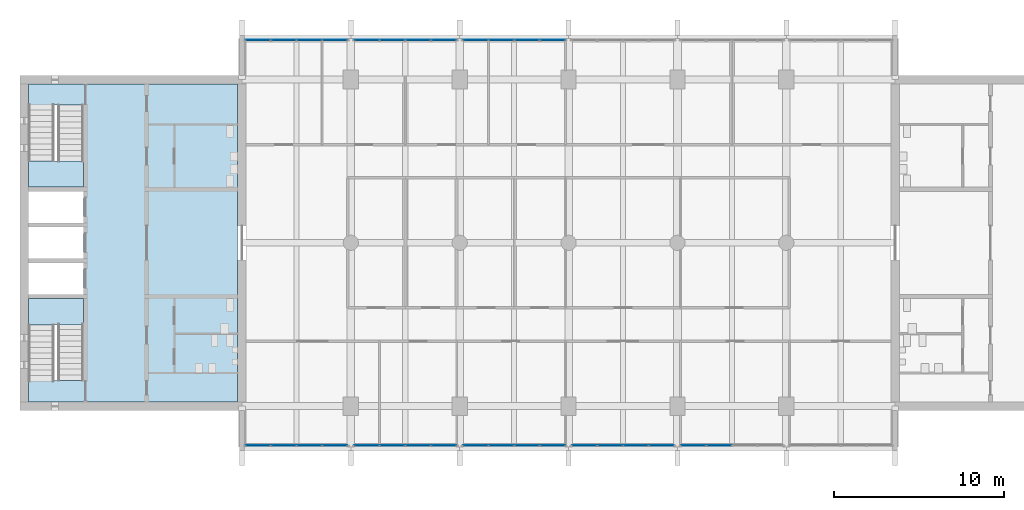
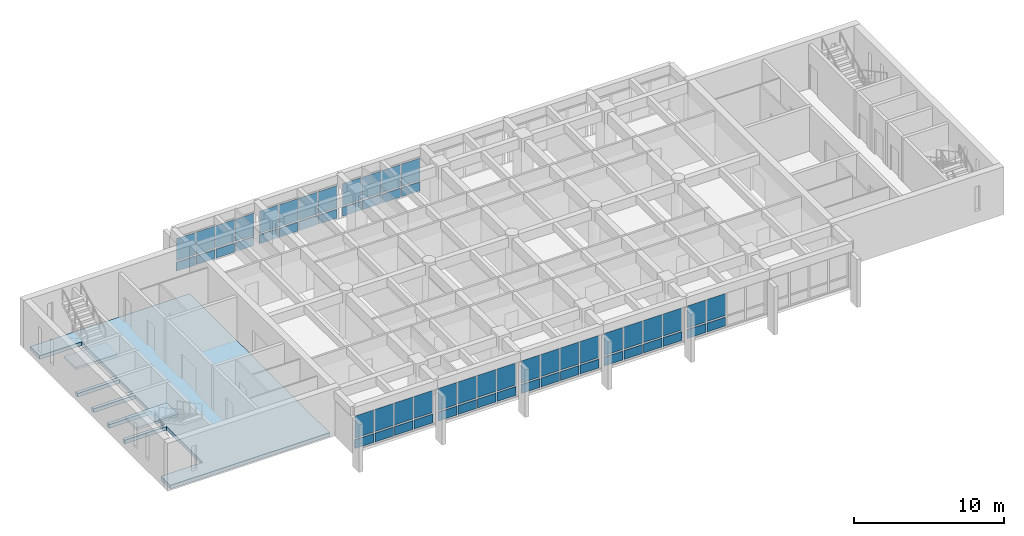
# One storey, part 7 of 15: 60 plates, 3 slabs, 10 elements without a shape of their own.
"""IFC4 building model written with IfcOpenShell, lengths in metres."""

from ifc_helpers import new_model, si_unit, direction, frame, origin, origin_2d, place, context, subcontext, project, spatial, polyline, rectangle, outline, extrude, material, layer, layer_set, type_object, element, aggregate, save


model = new_model("IFC4")

# Units and contexts
model_context = context("Model", 3, precision=1e-05, world=origin(), true_north=direction((0.0, 1.0)))
body_context = subcontext(model_context, "Body", "Model", "MODEL_VIEW")
ifc_project = project(units=[si_unit("LENGTHUNIT", "METRE"), si_unit("AREAUNIT", "SQUARE_METRE"), si_unit("VOLUMEUNIT", "CUBIC_METRE"), si_unit("PLANEANGLEUNIT", "RADIAN"), si_unit("MASSUNIT", "GRAM", prefix="KILO")], contexts=[model_context])

# Site, building, storey
site_placement = place(None, origin())
site = spatial("IfcSite", under=ifc_project, at=site_placement, CompositionType="ELEMENT")
building_placement = place(site_placement, origin())
building = spatial("IfcBuilding", under=site, at=building_placement, Name="Fogon Plaza Fire Station and Headquarters Tower", CompositionType="ELEMENT")
storey_placement = place(building_placement, frame((0.0, 0.0, 48.300048828125)))
storey = spatial("IfcBuildingStorey", under=building, at=storey_placement, Name="L12", CompositionType="ELEMENT", Elevation=48.300048828125)

# Slab
ifc_material_1 = material(Name="Concrete C40", Category="concrete")
ifc_layer_1 = layer(ifc_material_1, 0.300048828125)
ifc_layer_set_1 = layer_set([ifc_layer_1], Name="Concrete C40")
slab_type_1 = type_object("IfcSlabType", Name="Core Floor Slab RC 300", PredefinedType="FLOOR", material=ifc_layer_set_1)
slab_1_placement = place(storey_placement, frame((0.0, 0.0, -0.300048828125)))
element("IfcSlab", 1, at=slab_1_placement, inside=storey, type_object=slab_type_1, Name="Core A floor", PredefinedType="FLOOR", context=body_context, shape_type="SweptSolid", body=[
    extrude(outline(polyline([(13.050048828125, 35.110107421875), (13.050048828125, 33.85009765625), (25.35009765625, 33.85009765625), (25.35009765625, 52.550048828125), (13.050048828125, 52.550048828125), (13.050048828125, 51.2900390625), (16.27490234375, 51.2900390625), (16.27490234375, 46.47509765625), (13.050048828125, 46.47509765625), (13.050048828125, 46.22509765625), (16.27490234375, 46.22509765625), (16.27490234375, 44.375), (13.050048828125, 44.375), (13.050048828125, 44.125), (16.27490234375, 44.125), (16.27490234375, 42.27490234375), (13.050048828125, 42.27490234375), (13.050048828125, 42.02490234375), (16.27490234375, 42.02490234375), (16.27490234375, 40.175048828125), (13.050048828125, 40.175048828125), (13.050048828125, 39.925048828125), (16.27490234375, 39.925048828125), (16.27490234375, 35.110107421875), (13.050048828125, 35.110107421875)])), origin(), (0.0, 0.0, 1.0), 0.300048828125),
])

# Curtain wall, plates
ifc_material_2 = material(Name="Aluminium and glass", Category="aluminium")
ifc_layer_2 = layer(ifc_material_2, 0.14990234375)
ifc_layer_set_2 = layer_set([ifc_layer_2], Name="Aluminium and glass")
curtain_wall_type = type_object("IfcCurtainWallType", Name="Unitised Curtain Wall Run 6100x2880", PredefinedType="NOTDEFINED", material=ifc_layer_set_2)
curtain_wall_1_placement = place(storey_placement, origin())
curtain_wall_1 = element("IfcCurtainWall", 2, at=curtain_wall_1_placement, inside=storey, type_object=curtain_wall_type, Name="CW-6100x2880 S1 L12", PredefinedType="NOTDEFINED")
ifc_material_3 = material(Name="Insulated aluminium spandrel", Category="aluminium")
ifc_layer_3 = layer(ifc_material_3, 0.06005859375)
ifc_layer_set_3 = layer_set([ifc_layer_3], Name="Insulated aluminium spandrel")
plate_type_1 = type_object("IfcPlateType", Name="Insulated Spandrel Panel", PredefinedType="CURTAIN_PANEL", material=ifc_layer_set_3)
plate_1_placement = place(storey_placement, frame((26.534912109375, 31.280029296875, 0.1201171875), z_axis=(0.0, 0.0, 1.0), x_axis=(1.0, 0.0, 0.0)))
plate_1 = element("IfcPlate", 3, at=plate_1_placement, type_object=plate_type_1, Name="SP1 panel 1.1", PredefinedType="CURTAIN_PANEL", context=body_context, shape_type="SweptSolid", body=[
    extrude(rectangle(XDim=1.449951171875, YDim=0.06005859375, at=origin_2d()), origin(), (0.0, 0.0, 1.0), 0.719970703125),
])
plate_2_placement = place(storey_placement, frame((28.044921875, 31.280029296875, 0.1201171875), z_axis=(0.0, 0.0, 1.0), x_axis=(1.0, 0.0, 0.0)))
plate_2 = element("IfcPlate", 4, at=plate_2_placement, type_object=plate_type_1, Name="SP1 panel 2.1", PredefinedType="CURTAIN_PANEL", context=body_context, shape_type="SweptSolid", body=[
    extrude(rectangle(XDim=1.449951171875, YDim=0.06005859375, at=origin_2d()), origin(), (0.0, 0.0, 1.0), 0.719970703125),
])
plate_3_placement = place(storey_placement, frame((29.554931640625, 31.280029296875, 0.1201171875), z_axis=(0.0, 0.0, 1.0), x_axis=(1.0, 0.0, 0.0)))
plate_3 = element("IfcPlate", 5, at=plate_3_placement, type_object=plate_type_1, Name="SP1 panel 3.1", PredefinedType="CURTAIN_PANEL", context=body_context, shape_type="SweptSolid", body=[
    extrude(rectangle(XDim=1.449951171875, YDim=0.06005859375, at=origin_2d()), origin(), (0.0, 0.0, 1.0), 0.719970703125),
])
plate_4_placement = place(storey_placement, frame((31.06494140625, 31.280029296875, 0.1201171875), z_axis=(0.0, 0.0, 1.0), x_axis=(1.0, 0.0, 0.0)))
plate_4 = element("IfcPlate", 6, at=plate_4_placement, type_object=plate_type_1, Name="SP1 panel 4.1", PredefinedType="CURTAIN_PANEL", context=body_context, shape_type="SweptSolid", body=[
    extrude(rectangle(XDim=1.449951171875, YDim=0.06005859375, at=origin_2d()), origin(), (0.0, 0.0, 1.0), 0.719970703125),
])

curtain_wall_2_placement = place(storey_placement, origin())
curtain_wall_2 = element("IfcCurtainWall", 7, at=curtain_wall_2_placement, inside=storey, type_object=curtain_wall_type, Name="CW-6100x2880 S2 L12", PredefinedType="NOTDEFINED")
plate_5_placement = place(storey_placement, frame((32.93505859375, 31.280029296875, 0.1201171875), z_axis=(0.0, 0.0, 1.0), x_axis=(1.0, 0.0, 0.0)))
plate_5 = element("IfcPlate", 8, at=plate_5_placement, type_object=plate_type_1, Name="SP1 panel 1.1", PredefinedType="CURTAIN_PANEL", context=body_context, shape_type="SweptSolid", body=[
    extrude(rectangle(XDim=1.449951171875, YDim=0.06005859375, at=origin_2d()), origin(), (0.0, 0.0, 1.0), 0.719970703125),
])
plate_6_placement = place(storey_placement, frame((34.445068359375, 31.280029296875, 0.1201171875), z_axis=(0.0, 0.0, 1.0), x_axis=(1.0, 0.0, 0.0)))
plate_6 = element("IfcPlate", 9, at=plate_6_placement, type_object=plate_type_1, Name="SP1 panel 2.1", PredefinedType="CURTAIN_PANEL", context=body_context, shape_type="SweptSolid", body=[
    extrude(rectangle(XDim=1.449951171875, YDim=0.06005859375, at=origin_2d()), origin(), (0.0, 0.0, 1.0), 0.719970703125),
])
plate_7_placement = place(storey_placement, frame((35.955078125, 31.280029296875, 0.1201171875), z_axis=(0.0, 0.0, 1.0), x_axis=(1.0, 0.0, 0.0)))
plate_7 = element("IfcPlate", 10, at=plate_7_placement, type_object=plate_type_1, Name="SP1 panel 3.1", PredefinedType="CURTAIN_PANEL", context=body_context, shape_type="SweptSolid", body=[
    extrude(rectangle(XDim=1.449951171875, YDim=0.06005859375, at=origin_2d()), origin(), (0.0, 0.0, 1.0), 0.719970703125),
])
plate_8_placement = place(storey_placement, frame((37.465087890625, 31.280029296875, 0.1201171875), z_axis=(0.0, 0.0, 1.0), x_axis=(1.0, 0.0, 0.0)))
plate_8 = element("IfcPlate", 11, at=plate_8_placement, type_object=plate_type_1, Name="SP1 panel 4.1", PredefinedType="CURTAIN_PANEL", context=body_context, shape_type="SweptSolid", body=[
    extrude(rectangle(XDim=1.449951171875, YDim=0.06005859375, at=origin_2d()), origin(), (0.0, 0.0, 1.0), 0.719970703125),
])

curtain_wall_3_placement = place(storey_placement, origin())
curtain_wall_3 = element("IfcCurtainWall", 12, at=curtain_wall_3_placement, inside=storey, type_object=curtain_wall_type, Name="CW-6100x2880 S3 L12", PredefinedType="NOTDEFINED")
plate_9_placement = place(storey_placement, frame((39.3349609375, 31.280029296875, 0.1201171875), z_axis=(0.0, 0.0, 1.0), x_axis=(1.0, 0.0, 0.0)))
plate_9 = element("IfcPlate", 13, at=plate_9_placement, type_object=plate_type_1, Name="SP1 panel 1.1", PredefinedType="CURTAIN_PANEL", context=body_context, shape_type="SweptSolid", body=[
    extrude(rectangle(XDim=1.449951171875, YDim=0.06005859375, at=origin_2d()), origin(), (0.0, 0.0, 1.0), 0.719970703125),
])
plate_10_placement = place(storey_placement, frame((40.844970703125, 31.280029296875, 0.1201171875), z_axis=(0.0, 0.0, 1.0), x_axis=(1.0, 0.0, 0.0)))
plate_10 = element("IfcPlate", 14, at=plate_10_placement, type_object=plate_type_1, Name="SP1 panel 2.1", PredefinedType="CURTAIN_PANEL", context=body_context, shape_type="SweptSolid", body=[
    extrude(rectangle(XDim=1.449951171875, YDim=0.06005859375, at=origin_2d()), origin(), (0.0, 0.0, 1.0), 0.719970703125),
])
plate_11_placement = place(storey_placement, frame((42.35498046875, 31.280029296875, 0.1201171875), z_axis=(0.0, 0.0, 1.0), x_axis=(1.0, 0.0, 0.0)))
plate_11 = element("IfcPlate", 15, at=plate_11_placement, type_object=plate_type_1, Name="SP1 panel 3.1", PredefinedType="CURTAIN_PANEL", context=body_context, shape_type="SweptSolid", body=[
    extrude(rectangle(XDim=1.449951171875, YDim=0.06005859375, at=origin_2d()), origin(), (0.0, 0.0, 1.0), 0.719970703125),
])
plate_12_placement = place(storey_placement, frame((43.864990234375, 31.280029296875, 0.1201171875), z_axis=(0.0, 0.0, 1.0), x_axis=(1.0, 0.0, 0.0)))
plate_12 = element("IfcPlate", 16, at=plate_12_placement, type_object=plate_type_1, Name="SP1 panel 4.1", PredefinedType="CURTAIN_PANEL", context=body_context, shape_type="SweptSolid", body=[
    extrude(rectangle(XDim=1.449951171875, YDim=0.06005859375, at=origin_2d()), origin(), (0.0, 0.0, 1.0), 0.719970703125),
])

curtain_wall_4_placement = place(storey_placement, origin())
curtain_wall_4 = element("IfcCurtainWall", 17, at=curtain_wall_4_placement, inside=storey, type_object=curtain_wall_type, Name="CW-6100x2880 S4 L12", PredefinedType="NOTDEFINED")
plate_13_placement = place(storey_placement, frame((45.735107421875, 31.280029296875, 0.1201171875), z_axis=(0.0, 0.0, 1.0), x_axis=(1.0, 0.0, 0.0)))
plate_13 = element("IfcPlate", 18, at=plate_13_placement, type_object=plate_type_1, Name="SP1 panel 1.1", PredefinedType="CURTAIN_PANEL", context=body_context, shape_type="SweptSolid", body=[
    extrude(rectangle(XDim=1.449951171875, YDim=0.06005859375, at=origin_2d()), origin(), (0.0, 0.0, 1.0), 0.719970703125),
])
plate_14_placement = place(storey_placement, frame((47.2451171875, 31.280029296875, 0.1201171875), z_axis=(0.0, 0.0, 1.0), x_axis=(1.0, 0.0, 0.0)))
plate_14 = element("IfcPlate", 19, at=plate_14_placement, type_object=plate_type_1, Name="SP1 panel 2.1", PredefinedType="CURTAIN_PANEL", context=body_context, shape_type="SweptSolid", body=[
    extrude(rectangle(XDim=1.449951171875, YDim=0.06005859375, at=origin_2d()), origin(), (0.0, 0.0, 1.0), 0.719970703125),
])
plate_15_placement = place(storey_placement, frame((48.7548828125, 31.280029296875, 0.1201171875), z_axis=(0.0, 0.0, 1.0), x_axis=(1.0, 0.0, 0.0)))
plate_15 = element("IfcPlate", 20, at=plate_15_placement, type_object=plate_type_1, Name="SP1 panel 3.1", PredefinedType="CURTAIN_PANEL", context=body_context, shape_type="SweptSolid", body=[
    extrude(rectangle(XDim=1.449951171875, YDim=0.06005859375, at=origin_2d()), origin(), (0.0, 0.0, 1.0), 0.719970703125),
])
plate_16_placement = place(storey_placement, frame((50.264892578125, 31.280029296875, 0.1201171875), z_axis=(0.0, 0.0, 1.0), x_axis=(1.0, 0.0, 0.0)))
plate_16 = element("IfcPlate", 21, at=plate_16_placement, type_object=plate_type_1, Name="SP1 panel 4.1", PredefinedType="CURTAIN_PANEL", context=body_context, shape_type="SweptSolid", body=[
    extrude(rectangle(XDim=1.449951171875, YDim=0.06005859375, at=origin_2d()), origin(), (0.0, 0.0, 1.0), 0.719970703125),
])

curtain_wall_5_placement = place(storey_placement, origin())
curtain_wall_5 = element("IfcCurtainWall", 22, at=curtain_wall_5_placement, inside=storey, type_object=curtain_wall_type, Name="CW-6100x2880 S5 L12", PredefinedType="NOTDEFINED")
plate_17_placement = place(storey_placement, frame((52.135009765625, 31.280029296875, 0.1201171875), z_axis=(0.0, 0.0, 1.0), x_axis=(1.0, 0.0, 0.0)))
plate_17 = element("IfcPlate", 23, at=plate_17_placement, type_object=plate_type_1, Name="SP1 panel 1.1", PredefinedType="CURTAIN_PANEL", context=body_context, shape_type="SweptSolid", body=[
    extrude(rectangle(XDim=1.449951171875, YDim=0.06005859375, at=origin_2d()), origin(), (0.0, 0.0, 1.0), 0.719970703125),
])
plate_18_placement = place(storey_placement, frame((53.64501953125, 31.280029296875, 0.1201171875), z_axis=(0.0, 0.0, 1.0), x_axis=(1.0, 0.0, 0.0)))
plate_18 = element("IfcPlate", 24, at=plate_18_placement, type_object=plate_type_1, Name="SP1 panel 2.1", PredefinedType="CURTAIN_PANEL", context=body_context, shape_type="SweptSolid", body=[
    extrude(rectangle(XDim=1.449951171875, YDim=0.06005859375, at=origin_2d()), origin(), (0.0, 0.0, 1.0), 0.719970703125),
])

curtain_wall_6_placement = place(storey_placement, origin())
curtain_wall_6 = element("IfcCurtainWall", 25, at=curtain_wall_6_placement, inside=storey, type_object=curtain_wall_type, Name="CW-6100x2880 N1 L12", PredefinedType="NOTDEFINED")
plate_19_placement = place(storey_placement, frame((26.534912109375, 55.1201171875, 0.1201171875), z_axis=(0.0, 0.0, 1.0), x_axis=(1.0, 0.0, 0.0)))
plate_19 = element("IfcPlate", 26, at=plate_19_placement, type_object=plate_type_1, Name="SP1 panel 1.1", PredefinedType="CURTAIN_PANEL", context=body_context, shape_type="SweptSolid", body=[
    extrude(rectangle(XDim=1.449951171875, YDim=0.06005859375, at=origin_2d()), origin(), (0.0, 0.0, 1.0), 0.719970703125),
])
plate_20_placement = place(storey_placement, frame((28.044921875, 55.1201171875, 0.1201171875), z_axis=(0.0, 0.0, 1.0), x_axis=(1.0, 0.0, 0.0)))
plate_20 = element("IfcPlate", 27, at=plate_20_placement, type_object=plate_type_1, Name="SP1 panel 2.1", PredefinedType="CURTAIN_PANEL", context=body_context, shape_type="SweptSolid", body=[
    extrude(rectangle(XDim=1.449951171875, YDim=0.06005859375, at=origin_2d()), origin(), (0.0, 0.0, 1.0), 0.719970703125),
])
plate_21_placement = place(storey_placement, frame((29.554931640625, 55.1201171875, 0.1201171875), z_axis=(0.0, 0.0, 1.0), x_axis=(1.0, 0.0, 0.0)))
plate_21 = element("IfcPlate", 28, at=plate_21_placement, type_object=plate_type_1, Name="SP1 panel 3.1", PredefinedType="CURTAIN_PANEL", context=body_context, shape_type="SweptSolid", body=[
    extrude(rectangle(XDim=1.449951171875, YDim=0.06005859375, at=origin_2d()), origin(), (0.0, 0.0, 1.0), 0.719970703125),
])
plate_22_placement = place(storey_placement, frame((31.06494140625, 55.1201171875, 0.1201171875), z_axis=(0.0, 0.0, 1.0), x_axis=(1.0, 0.0, 0.0)))
plate_22 = element("IfcPlate", 29, at=plate_22_placement, type_object=plate_type_1, Name="SP1 panel 4.1", PredefinedType="CURTAIN_PANEL", context=body_context, shape_type="SweptSolid", body=[
    extrude(rectangle(XDim=1.449951171875, YDim=0.06005859375, at=origin_2d()), origin(), (0.0, 0.0, 1.0), 0.719970703125),
])

curtain_wall_7_placement = place(storey_placement, origin())
curtain_wall_7 = element("IfcCurtainWall", 30, at=curtain_wall_7_placement, inside=storey, type_object=curtain_wall_type, Name="CW-6100x2880 N2 L12", PredefinedType="NOTDEFINED")
plate_23_placement = place(storey_placement, frame((32.93505859375, 55.1201171875, 0.1201171875), z_axis=(0.0, 0.0, 1.0), x_axis=(1.0, 0.0, 0.0)))
plate_23 = element("IfcPlate", 31, at=plate_23_placement, type_object=plate_type_1, Name="SP1 panel 1.1", PredefinedType="CURTAIN_PANEL", context=body_context, shape_type="SweptSolid", body=[
    extrude(rectangle(XDim=1.449951171875, YDim=0.06005859375, at=origin_2d()), origin(), (0.0, 0.0, 1.0), 0.719970703125),
])
plate_24_placement = place(storey_placement, frame((34.445068359375, 55.1201171875, 0.1201171875), z_axis=(0.0, 0.0, 1.0), x_axis=(1.0, 0.0, 0.0)))
plate_24 = element("IfcPlate", 32, at=plate_24_placement, type_object=plate_type_1, Name="SP1 panel 2.1", PredefinedType="CURTAIN_PANEL", context=body_context, shape_type="SweptSolid", body=[
    extrude(rectangle(XDim=1.449951171875, YDim=0.06005859375, at=origin_2d()), origin(), (0.0, 0.0, 1.0), 0.719970703125),
])
plate_25_placement = place(storey_placement, frame((35.955078125, 55.1201171875, 0.1201171875), z_axis=(0.0, 0.0, 1.0), x_axis=(1.0, 0.0, 0.0)))
plate_25 = element("IfcPlate", 33, at=plate_25_placement, type_object=plate_type_1, Name="SP1 panel 3.1", PredefinedType="CURTAIN_PANEL", context=body_context, shape_type="SweptSolid", body=[
    extrude(rectangle(XDim=1.449951171875, YDim=0.06005859375, at=origin_2d()), origin(), (0.0, 0.0, 1.0), 0.719970703125),
])
plate_26_placement = place(storey_placement, frame((37.465087890625, 55.1201171875, 0.1201171875), z_axis=(0.0, 0.0, 1.0), x_axis=(1.0, 0.0, 0.0)))
plate_26 = element("IfcPlate", 34, at=plate_26_placement, type_object=plate_type_1, Name="SP1 panel 4.1", PredefinedType="CURTAIN_PANEL", context=body_context, shape_type="SweptSolid", body=[
    extrude(rectangle(XDim=1.449951171875, YDim=0.06005859375, at=origin_2d()), origin(), (0.0, 0.0, 1.0), 0.719970703125),
])

curtain_wall_8_placement = place(storey_placement, origin())
curtain_wall_8 = element("IfcCurtainWall", 35, at=curtain_wall_8_placement, inside=storey, type_object=curtain_wall_type, Name="CW-6100x2880 N3 L12", PredefinedType="NOTDEFINED")
plate_27_placement = place(storey_placement, frame((39.3349609375, 55.1201171875, 0.1201171875), z_axis=(0.0, 0.0, 1.0), x_axis=(1.0, 0.0, 0.0)))
plate_27 = element("IfcPlate", 36, at=plate_27_placement, type_object=plate_type_1, Name="SP1 panel 1.1", PredefinedType="CURTAIN_PANEL", context=body_context, shape_type="SweptSolid", body=[
    extrude(rectangle(XDim=1.449951171875, YDim=0.06005859375, at=origin_2d()), origin(), (0.0, 0.0, 1.0), 0.719970703125),
])
plate_28_placement = place(storey_placement, frame((40.844970703125, 55.1201171875, 0.1201171875), z_axis=(0.0, 0.0, 1.0), x_axis=(1.0, 0.0, 0.0)))
plate_28 = element("IfcPlate", 37, at=plate_28_placement, type_object=plate_type_1, Name="SP1 panel 2.1", PredefinedType="CURTAIN_PANEL", context=body_context, shape_type="SweptSolid", body=[
    extrude(rectangle(XDim=1.449951171875, YDim=0.06005859375, at=origin_2d()), origin(), (0.0, 0.0, 1.0), 0.719970703125),
])
plate_29_placement = place(storey_placement, frame((42.35498046875, 55.1201171875, 0.1201171875), z_axis=(0.0, 0.0, 1.0), x_axis=(1.0, 0.0, 0.0)))
plate_29 = element("IfcPlate", 38, at=plate_29_placement, type_object=plate_type_1, Name="SP1 panel 3.1", PredefinedType="CURTAIN_PANEL", context=body_context, shape_type="SweptSolid", body=[
    extrude(rectangle(XDim=1.449951171875, YDim=0.06005859375, at=origin_2d()), origin(), (0.0, 0.0, 1.0), 0.719970703125),
])
plate_30_placement = place(storey_placement, frame((43.864990234375, 55.1201171875, 0.1201171875), z_axis=(0.0, 0.0, 1.0), x_axis=(1.0, 0.0, 0.0)))
plate_30 = element("IfcPlate", 39, at=plate_30_placement, type_object=plate_type_1, Name="SP1 panel 4.1", PredefinedType="CURTAIN_PANEL", context=body_context, shape_type="SweptSolid", body=[
    extrude(rectangle(XDim=1.449951171875, YDim=0.06005859375, at=origin_2d()), origin(), (0.0, 0.0, 1.0), 0.719970703125),
])

# Stair, slab
ifc_material_4 = material(Name="Concrete C40", Category="concrete")
stair_type = type_object("IfcStairType", Name="Exit Stair Two Flights", PredefinedType="TWO_STRAIGHT_RUN_STAIR", material=ifc_material_4)
stair_1_placement = place(storey_placement, origin())
stair_1 = element("IfcStair", 40, at=stair_1_placement, inside=storey, type_object=stair_type, Name="Stair ST1", PredefinedType="TWO_STRAIGHT_RUN_STAIR")
ifc_material_5 = material(Name="Concrete C40", Category="concrete")
ifc_layer_4 = layer(ifc_material_5, 0.300048828125)
ifc_layer_set_4 = layer_set([ifc_layer_4], Name="Concrete C40")
slab_type_2 = type_object("IfcSlabType", Name="Stair Landing RC 300", PredefinedType="LANDING", material=ifc_layer_set_4)
slab_2_placement = place(storey_placement, frame((0.0, 0.0, 1.75)))
slab_2 = element("IfcSlab", 41, at=slab_2_placement, type_object=slab_type_2, Name="ST1 landing L14", PredefinedType="LANDING", context=body_context, shape_type="SweptSolid", body=[
    extrude(outline(polyline([(16.27490234375, 38.375), (16.27490234375, 39.925048828125), (13.050048828125, 39.925048828125), (13.050048828125, 38.375), (16.27490234375, 38.375)])), origin(), (0.0, 0.0, 1.0), 0.199951171875),
])
aggregate(stair_1, [slab_2])

stair_2_placement = place(storey_placement, origin())
stair_2 = element("IfcStair", 42, at=stair_2_placement, inside=storey, type_object=stair_type, Name="Stair ST2", PredefinedType="TWO_STRAIGHT_RUN_STAIR")
slab_3_placement = place(storey_placement, frame((0.0, 0.0, 1.75)))
slab_3 = element("IfcSlab", 43, at=slab_3_placement, type_object=slab_type_2, Name="ST2 landing L14", PredefinedType="LANDING", context=body_context, shape_type="SweptSolid", body=[
    extrude(outline(polyline([(16.27490234375, 46.47509765625), (16.27490234375, 48.02490234375), (13.050048828125, 48.02490234375), (13.050048828125, 46.47509765625), (16.27490234375, 46.47509765625)])), origin(), (0.0, 0.0, 1.0), 0.199951171875),
])
aggregate(stair_2, [slab_3])

# Plate
ifc_material_6 = material(Name="Low-e double glazing", Category="glass")
ifc_layer_5 = layer(ifc_material_6, 0.028076171875)
ifc_layer_set_5 = layer_set([ifc_layer_5], Name="Low-e double glazing")
plate_type_2 = type_object("IfcPlateType", Name="Vision Glass Panel 1450x1800", PredefinedType="CURTAIN_PANEL", material=ifc_layer_set_5)
plate_31_placement = place(storey_placement, frame((26.534912109375, 31.280029296875, 0.9599609375), z_axis=(0.0, 0.0, 1.0), x_axis=(1.0, 0.0, 0.0)))
plate_31 = element("IfcPlate", 44, at=plate_31_placement, type_object=plate_type_2, Name="VG-1450x1800 panel 1.2", PredefinedType="CURTAIN_PANEL", context=body_context, shape_type="SweptSolid", body=[
    extrude(rectangle(XDim=1.449951171875, YDim=0.028076171875, at=origin_2d()), origin(), (0.0, 0.0, 1.0), 1.800048828125),
])

plate_32_placement = place(storey_placement, frame((28.044921875, 31.280029296875, 0.9599609375), z_axis=(0.0, 0.0, 1.0), x_axis=(1.0, 0.0, 0.0)))
plate_32 = element("IfcPlate", 45, at=plate_32_placement, type_object=plate_type_2, Name="VG-1450x1800 panel 2.2", PredefinedType="CURTAIN_PANEL", context=body_context, shape_type="SweptSolid", body=[
    extrude(rectangle(XDim=1.449951171875, YDim=0.028076171875, at=origin_2d()), origin(), (0.0, 0.0, 1.0), 1.800048828125),
])

plate_33_placement = place(storey_placement, frame((29.554931640625, 31.280029296875, 0.9599609375), z_axis=(0.0, 0.0, 1.0), x_axis=(1.0, 0.0, 0.0)))
plate_33 = element("IfcPlate", 46, at=plate_33_placement, type_object=plate_type_2, Name="VG-1450x1800 panel 3.2", PredefinedType="CURTAIN_PANEL", context=body_context, shape_type="SweptSolid", body=[
    extrude(rectangle(XDim=1.449951171875, YDim=0.028076171875, at=origin_2d()), origin(), (0.0, 0.0, 1.0), 1.800048828125),
])

plate_34_placement = place(storey_placement, frame((31.06494140625, 31.280029296875, 0.9599609375), z_axis=(0.0, 0.0, 1.0), x_axis=(1.0, 0.0, 0.0)))
plate_34 = element("IfcPlate", 47, at=plate_34_placement, type_object=plate_type_2, Name="VG-1450x1800 panel 4.2", PredefinedType="CURTAIN_PANEL", context=body_context, shape_type="SweptSolid", body=[
    extrude(rectangle(XDim=1.449951171875, YDim=0.028076171875, at=origin_2d()), origin(), (0.0, 0.0, 1.0), 1.800048828125),
])

aggregate(curtain_wall_1, [plate_1, plate_31, plate_2, plate_32, plate_3, plate_33, plate_4, plate_34])

plate_35_placement = place(storey_placement, frame((32.93505859375, 31.280029296875, 0.9599609375), z_axis=(0.0, 0.0, 1.0), x_axis=(1.0, 0.0, 0.0)))
plate_35 = element("IfcPlate", 48, at=plate_35_placement, type_object=plate_type_2, Name="VG-1450x1800 panel 1.2", PredefinedType="CURTAIN_PANEL", context=body_context, shape_type="SweptSolid", body=[
    extrude(rectangle(XDim=1.449951171875, YDim=0.028076171875, at=origin_2d()), origin(), (0.0, 0.0, 1.0), 1.800048828125),
])

plate_36_placement = place(storey_placement, frame((34.445068359375, 31.280029296875, 0.9599609375), z_axis=(0.0, 0.0, 1.0), x_axis=(1.0, 0.0, 0.0)))
plate_36 = element("IfcPlate", 49, at=plate_36_placement, type_object=plate_type_2, Name="VG-1450x1800 panel 2.2", PredefinedType="CURTAIN_PANEL", context=body_context, shape_type="SweptSolid", body=[
    extrude(rectangle(XDim=1.449951171875, YDim=0.028076171875, at=origin_2d()), origin(), (0.0, 0.0, 1.0), 1.800048828125),
])

plate_37_placement = place(storey_placement, frame((35.955078125, 31.280029296875, 0.9599609375), z_axis=(0.0, 0.0, 1.0), x_axis=(1.0, 0.0, 0.0)))
plate_37 = element("IfcPlate", 50, at=plate_37_placement, type_object=plate_type_2, Name="VG-1450x1800 panel 3.2", PredefinedType="CURTAIN_PANEL", context=body_context, shape_type="SweptSolid", body=[
    extrude(rectangle(XDim=1.449951171875, YDim=0.028076171875, at=origin_2d()), origin(), (0.0, 0.0, 1.0), 1.800048828125),
])

plate_38_placement = place(storey_placement, frame((37.465087890625, 31.280029296875, 0.9599609375), z_axis=(0.0, 0.0, 1.0), x_axis=(1.0, 0.0, 0.0)))
plate_38 = element("IfcPlate", 51, at=plate_38_placement, type_object=plate_type_2, Name="VG-1450x1800 panel 4.2", PredefinedType="CURTAIN_PANEL", context=body_context, shape_type="SweptSolid", body=[
    extrude(rectangle(XDim=1.449951171875, YDim=0.028076171875, at=origin_2d()), origin(), (0.0, 0.0, 1.0), 1.800048828125),
])

aggregate(curtain_wall_2, [plate_5, plate_35, plate_6, plate_36, plate_7, plate_37, plate_8, plate_38])

plate_39_placement = place(storey_placement, frame((39.3349609375, 31.280029296875, 0.9599609375), z_axis=(0.0, 0.0, 1.0), x_axis=(1.0, 0.0, 0.0)))
plate_39 = element("IfcPlate", 52, at=plate_39_placement, type_object=plate_type_2, Name="VG-1450x1800 panel 1.2", PredefinedType="CURTAIN_PANEL", context=body_context, shape_type="SweptSolid", body=[
    extrude(rectangle(XDim=1.449951171875, YDim=0.028076171875, at=origin_2d()), origin(), (0.0, 0.0, 1.0), 1.800048828125),
])

plate_40_placement = place(storey_placement, frame((40.844970703125, 31.280029296875, 0.9599609375), z_axis=(0.0, 0.0, 1.0), x_axis=(1.0, 0.0, 0.0)))
plate_40 = element("IfcPlate", 53, at=plate_40_placement, type_object=plate_type_2, Name="VG-1450x1800 panel 2.2", PredefinedType="CURTAIN_PANEL", context=body_context, shape_type="SweptSolid", body=[
    extrude(rectangle(XDim=1.449951171875, YDim=0.028076171875, at=origin_2d()), origin(), (0.0, 0.0, 1.0), 1.800048828125),
])

plate_41_placement = place(storey_placement, frame((42.35498046875, 31.280029296875, 0.9599609375), z_axis=(0.0, 0.0, 1.0), x_axis=(1.0, 0.0, 0.0)))
plate_41 = element("IfcPlate", 54, at=plate_41_placement, type_object=plate_type_2, Name="VG-1450x1800 panel 3.2", PredefinedType="CURTAIN_PANEL", context=body_context, shape_type="SweptSolid", body=[
    extrude(rectangle(XDim=1.449951171875, YDim=0.028076171875, at=origin_2d()), origin(), (0.0, 0.0, 1.0), 1.800048828125),
])

plate_42_placement = place(storey_placement, frame((43.864990234375, 31.280029296875, 0.9599609375), z_axis=(0.0, 0.0, 1.0), x_axis=(1.0, 0.0, 0.0)))
plate_42 = element("IfcPlate", 55, at=plate_42_placement, type_object=plate_type_2, Name="VG-1450x1800 panel 4.2", PredefinedType="CURTAIN_PANEL", context=body_context, shape_type="SweptSolid", body=[
    extrude(rectangle(XDim=1.449951171875, YDim=0.028076171875, at=origin_2d()), origin(), (0.0, 0.0, 1.0), 1.800048828125),
])

aggregate(curtain_wall_3, [plate_9, plate_39, plate_10, plate_40, plate_11, plate_41, plate_12, plate_42])

plate_43_placement = place(storey_placement, frame((45.735107421875, 31.280029296875, 0.9599609375), z_axis=(0.0, 0.0, 1.0), x_axis=(1.0, 0.0, 0.0)))
plate_43 = element("IfcPlate", 56, at=plate_43_placement, type_object=plate_type_2, Name="VG-1450x1800 panel 1.2", PredefinedType="CURTAIN_PANEL", context=body_context, shape_type="SweptSolid", body=[
    extrude(rectangle(XDim=1.449951171875, YDim=0.028076171875, at=origin_2d()), origin(), (0.0, 0.0, 1.0), 1.800048828125),
])

plate_44_placement = place(storey_placement, frame((47.2451171875, 31.280029296875, 0.9599609375), z_axis=(0.0, 0.0, 1.0), x_axis=(1.0, 0.0, 0.0)))
plate_44 = element("IfcPlate", 57, at=plate_44_placement, type_object=plate_type_2, Name="VG-1450x1800 panel 2.2", PredefinedType="CURTAIN_PANEL", context=body_context, shape_type="SweptSolid", body=[
    extrude(rectangle(XDim=1.449951171875, YDim=0.028076171875, at=origin_2d()), origin(), (0.0, 0.0, 1.0), 1.800048828125),
])

plate_45_placement = place(storey_placement, frame((48.7548828125, 31.280029296875, 0.9599609375), z_axis=(0.0, 0.0, 1.0), x_axis=(1.0, 0.0, 0.0)))
plate_45 = element("IfcPlate", 58, at=plate_45_placement, type_object=plate_type_2, Name="VG-1450x1800 panel 3.2", PredefinedType="CURTAIN_PANEL", context=body_context, shape_type="SweptSolid", body=[
    extrude(rectangle(XDim=1.449951171875, YDim=0.028076171875, at=origin_2d()), origin(), (0.0, 0.0, 1.0), 1.800048828125),
])

plate_46_placement = place(storey_placement, frame((50.264892578125, 31.280029296875, 0.9599609375), z_axis=(0.0, 0.0, 1.0), x_axis=(1.0, 0.0, 0.0)))
plate_46 = element("IfcPlate", 59, at=plate_46_placement, type_object=plate_type_2, Name="VG-1450x1800 panel 4.2", PredefinedType="CURTAIN_PANEL", context=body_context, shape_type="SweptSolid", body=[
    extrude(rectangle(XDim=1.449951171875, YDim=0.028076171875, at=origin_2d()), origin(), (0.0, 0.0, 1.0), 1.800048828125),
])

aggregate(curtain_wall_4, [plate_13, plate_43, plate_14, plate_44, plate_15, plate_45, plate_16, plate_46])

plate_47_placement = place(storey_placement, frame((52.135009765625, 31.280029296875, 0.9599609375), z_axis=(0.0, 0.0, 1.0), x_axis=(1.0, 0.0, 0.0)))
plate_47 = element("IfcPlate", 60, at=plate_47_placement, type_object=plate_type_2, Name="VG-1450x1800 panel 1.2", PredefinedType="CURTAIN_PANEL", context=body_context, shape_type="SweptSolid", body=[
    extrude(rectangle(XDim=1.449951171875, YDim=0.028076171875, at=origin_2d()), origin(), (0.0, 0.0, 1.0), 1.800048828125),
])

plate_48_placement = place(storey_placement, frame((53.64501953125, 31.280029296875, 0.9599609375), z_axis=(0.0, 0.0, 1.0), x_axis=(1.0, 0.0, 0.0)))
plate_48 = element("IfcPlate", 61, at=plate_48_placement, type_object=plate_type_2, Name="VG-1450x1800 panel 2.2", PredefinedType="CURTAIN_PANEL", context=body_context, shape_type="SweptSolid", body=[
    extrude(rectangle(XDim=1.449951171875, YDim=0.028076171875, at=origin_2d()), origin(), (0.0, 0.0, 1.0), 1.800048828125),
])

aggregate(curtain_wall_5, [plate_17, plate_47, plate_18, plate_48])

plate_49_placement = place(storey_placement, frame((26.534912109375, 55.1201171875, 0.9599609375), z_axis=(0.0, 0.0, 1.0), x_axis=(1.0, 0.0, 0.0)))
plate_49 = element("IfcPlate", 62, at=plate_49_placement, type_object=plate_type_2, Name="VG-1450x1800 panel 1.2", PredefinedType="CURTAIN_PANEL", context=body_context, shape_type="SweptSolid", body=[
    extrude(rectangle(XDim=1.449951171875, YDim=0.028076171875, at=origin_2d()), origin(), (0.0, 0.0, 1.0), 1.800048828125),
])

plate_50_placement = place(storey_placement, frame((28.044921875, 55.1201171875, 0.9599609375), z_axis=(0.0, 0.0, 1.0), x_axis=(1.0, 0.0, 0.0)))
plate_50 = element("IfcPlate", 63, at=plate_50_placement, type_object=plate_type_2, Name="VG-1450x1800 panel 2.2", PredefinedType="CURTAIN_PANEL", context=body_context, shape_type="SweptSolid", body=[
    extrude(rectangle(XDim=1.449951171875, YDim=0.028076171875, at=origin_2d()), origin(), (0.0, 0.0, 1.0), 1.800048828125),
])

plate_51_placement = place(storey_placement, frame((29.554931640625, 55.1201171875, 0.9599609375), z_axis=(0.0, 0.0, 1.0), x_axis=(1.0, 0.0, 0.0)))
plate_51 = element("IfcPlate", 64, at=plate_51_placement, type_object=plate_type_2, Name="VG-1450x1800 panel 3.2", PredefinedType="CURTAIN_PANEL", context=body_context, shape_type="SweptSolid", body=[
    extrude(rectangle(XDim=1.449951171875, YDim=0.028076171875, at=origin_2d()), origin(), (0.0, 0.0, 1.0), 1.800048828125),
])

plate_52_placement = place(storey_placement, frame((31.06494140625, 55.1201171875, 0.9599609375), z_axis=(0.0, 0.0, 1.0), x_axis=(1.0, 0.0, 0.0)))
plate_52 = element("IfcPlate", 65, at=plate_52_placement, type_object=plate_type_2, Name="VG-1450x1800 panel 4.2", PredefinedType="CURTAIN_PANEL", context=body_context, shape_type="SweptSolid", body=[
    extrude(rectangle(XDim=1.449951171875, YDim=0.028076171875, at=origin_2d()), origin(), (0.0, 0.0, 1.0), 1.800048828125),
])

aggregate(curtain_wall_6, [plate_19, plate_49, plate_20, plate_50, plate_21, plate_51, plate_22, plate_52])

plate_53_placement = place(storey_placement, frame((32.93505859375, 55.1201171875, 0.9599609375), z_axis=(0.0, 0.0, 1.0), x_axis=(1.0, 0.0, 0.0)))
plate_53 = element("IfcPlate", 66, at=plate_53_placement, type_object=plate_type_2, Name="VG-1450x1800 panel 1.2", PredefinedType="CURTAIN_PANEL", context=body_context, shape_type="SweptSolid", body=[
    extrude(rectangle(XDim=1.449951171875, YDim=0.028076171875, at=origin_2d()), origin(), (0.0, 0.0, 1.0), 1.800048828125),
])

plate_54_placement = place(storey_placement, frame((34.445068359375, 55.1201171875, 0.9599609375), z_axis=(0.0, 0.0, 1.0), x_axis=(1.0, 0.0, 0.0)))
plate_54 = element("IfcPlate", 67, at=plate_54_placement, type_object=plate_type_2, Name="VG-1450x1800 panel 2.2", PredefinedType="CURTAIN_PANEL", context=body_context, shape_type="SweptSolid", body=[
    extrude(rectangle(XDim=1.449951171875, YDim=0.028076171875, at=origin_2d()), origin(), (0.0, 0.0, 1.0), 1.800048828125),
])

plate_55_placement = place(storey_placement, frame((35.955078125, 55.1201171875, 0.9599609375), z_axis=(0.0, 0.0, 1.0), x_axis=(1.0, 0.0, 0.0)))
plate_55 = element("IfcPlate", 68, at=plate_55_placement, type_object=plate_type_2, Name="VG-1450x1800 panel 3.2", PredefinedType="CURTAIN_PANEL", context=body_context, shape_type="SweptSolid", body=[
    extrude(rectangle(XDim=1.449951171875, YDim=0.028076171875, at=origin_2d()), origin(), (0.0, 0.0, 1.0), 1.800048828125),
])

plate_56_placement = place(storey_placement, frame((37.465087890625, 55.1201171875, 0.9599609375), z_axis=(0.0, 0.0, 1.0), x_axis=(1.0, 0.0, 0.0)))
plate_56 = element("IfcPlate", 69, at=plate_56_placement, type_object=plate_type_2, Name="VG-1450x1800 panel 4.2", PredefinedType="CURTAIN_PANEL", context=body_context, shape_type="SweptSolid", body=[
    extrude(rectangle(XDim=1.449951171875, YDim=0.028076171875, at=origin_2d()), origin(), (0.0, 0.0, 1.0), 1.800048828125),
])

aggregate(curtain_wall_7, [plate_23, plate_53, plate_24, plate_54, plate_25, plate_55, plate_26, plate_56])

plate_57_placement = place(storey_placement, frame((39.3349609375, 55.1201171875, 0.9599609375), z_axis=(0.0, 0.0, 1.0), x_axis=(1.0, 0.0, 0.0)))
plate_57 = element("IfcPlate", 70, at=plate_57_placement, type_object=plate_type_2, Name="VG-1450x1800 panel 1.2", PredefinedType="CURTAIN_PANEL", context=body_context, shape_type="SweptSolid", body=[
    extrude(rectangle(XDim=1.449951171875, YDim=0.028076171875, at=origin_2d()), origin(), (0.0, 0.0, 1.0), 1.800048828125),
])

plate_58_placement = place(storey_placement, frame((40.844970703125, 55.1201171875, 0.9599609375), z_axis=(0.0, 0.0, 1.0), x_axis=(1.0, 0.0, 0.0)))
plate_58 = element("IfcPlate", 71, at=plate_58_placement, type_object=plate_type_2, Name="VG-1450x1800 panel 2.2", PredefinedType="CURTAIN_PANEL", context=body_context, shape_type="SweptSolid", body=[
    extrude(rectangle(XDim=1.449951171875, YDim=0.028076171875, at=origin_2d()), origin(), (0.0, 0.0, 1.0), 1.800048828125),
])

plate_59_placement = place(storey_placement, frame((42.35498046875, 55.1201171875, 0.9599609375), z_axis=(0.0, 0.0, 1.0), x_axis=(1.0, 0.0, 0.0)))
plate_59 = element("IfcPlate", 72, at=plate_59_placement, type_object=plate_type_2, Name="VG-1450x1800 panel 3.2", PredefinedType="CURTAIN_PANEL", context=body_context, shape_type="SweptSolid", body=[
    extrude(rectangle(XDim=1.449951171875, YDim=0.028076171875, at=origin_2d()), origin(), (0.0, 0.0, 1.0), 1.800048828125),
])

plate_60_placement = place(storey_placement, frame((43.864990234375, 55.1201171875, 0.9599609375), z_axis=(0.0, 0.0, 1.0), x_axis=(1.0, 0.0, 0.0)))
plate_60 = element("IfcPlate", 73, at=plate_60_placement, type_object=plate_type_2, Name="VG-1450x1800 panel 4.2", PredefinedType="CURTAIN_PANEL", context=body_context, shape_type="SweptSolid", body=[
    extrude(rectangle(XDim=1.449951171875, YDim=0.028076171875, at=origin_2d()), origin(), (0.0, 0.0, 1.0), 1.800048828125),
])

aggregate(curtain_wall_8, [plate_27, plate_57, plate_28, plate_58, plate_29, plate_59, plate_30, plate_60])

save(model, "model.ifc")
